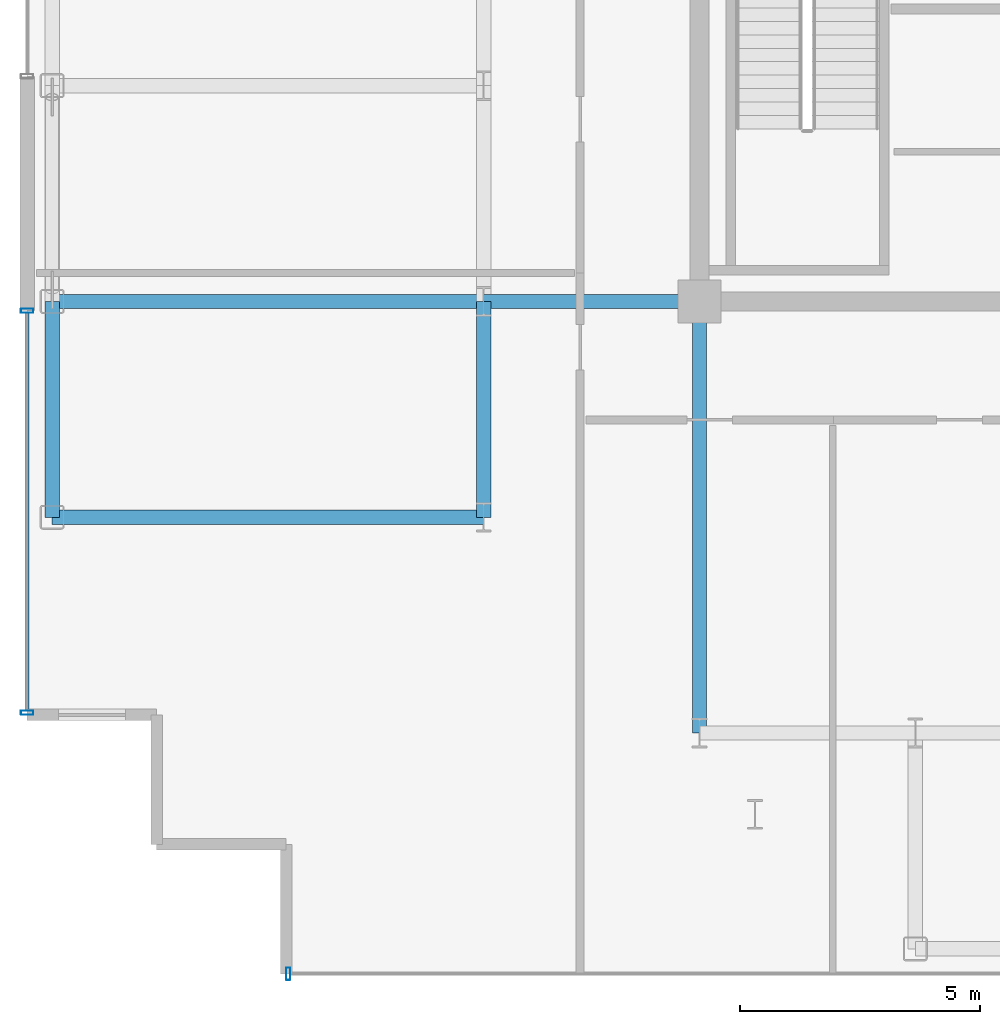
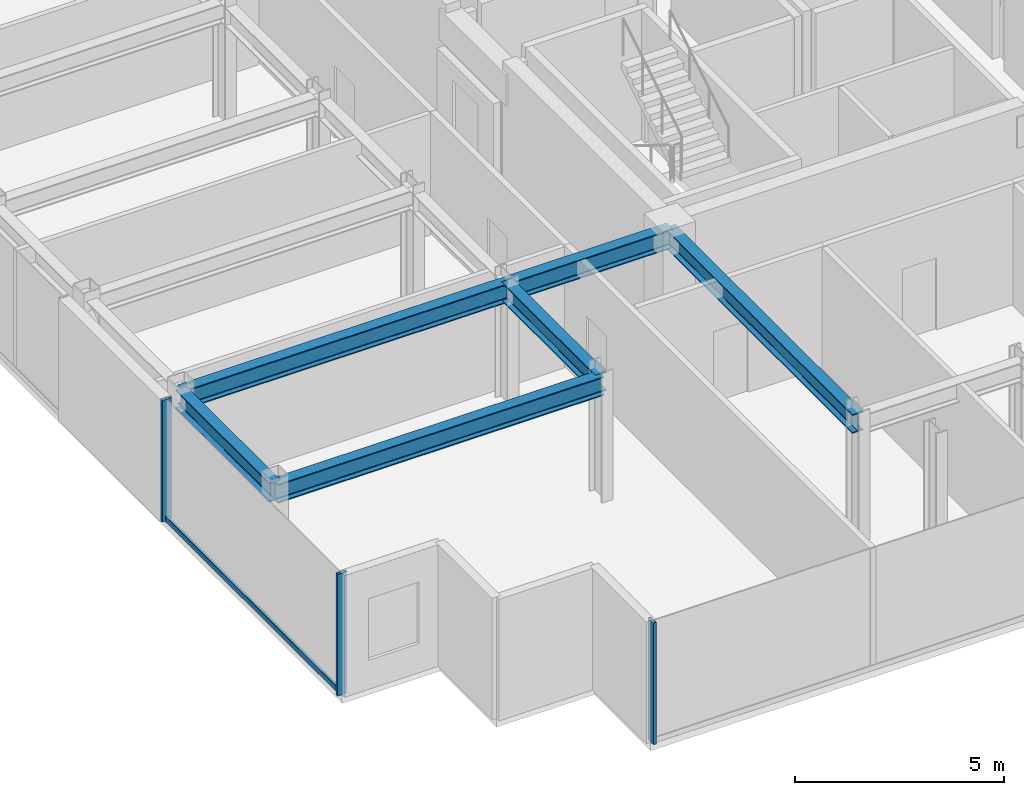
# One storey, part 2 of 16: 6 beams, 4 members, 2 elements without a shape of their own.
"""IFC4 building model written with IfcOpenShell, lengths in metres."""

from ifc_helpers import new_model, si_unit, direction, frame, origin, origin_2d, place, context, subcontext, project, spatial, hollow_rectangle, i_section, extrude, source, transform, mapped, material, layer, layer_set, material_profile, profile_set, type_object, element, aggregate, save


model = new_model("IFC4")

# Units and contexts
model_context = context("Model", 3, precision=1e-05, world=origin(), true_north=direction((0.0, 1.0)))
body_context = subcontext(model_context, "Body", "Model", "MODEL_VIEW")
ifc_project = project(units=[si_unit("LENGTHUNIT", "METRE"), si_unit("AREAUNIT", "SQUARE_METRE"), si_unit("VOLUMEUNIT", "CUBIC_METRE"), si_unit("PLANEANGLEUNIT", "RADIAN"), si_unit("MASSUNIT", "GRAM", prefix="KILO")], contexts=[model_context])

# Site, building, storey
site_placement = place(None, origin())
site = spatial("IfcSite", under=ifc_project, at=site_placement, CompositionType="ELEMENT")
building_placement = place(site_placement, origin())
building = spatial("IfcBuilding", under=site, at=building_placement, Name="Nefas-Gora Pilgrimage Tower", CompositionType="ELEMENT")
storey_placement = place(building_placement, frame((0.0, 0.0, 322.39990234375)))
storey = spatial("IfcBuildingStorey", under=building, at=storey_placement, Name="L81", CompositionType="ELEMENT", Elevation=322.39990234375)

# Beams
ifc_material_1 = material(Name="Steel S355", Category="steel")
ifc_material_profile_1 = material_profile(ifc_material_1, i_section(OverallWidth=0.300048828125, OverallDepth=0.550048828125, WebThickness=0.014892578125, FlangeThickness=0.029052734375, FilletRadius=0.027099609375, at=origin_2d()), Name="HEB 550")
ifc_profile_set_1 = profile_set([ifc_material_profile_1], Name="Steel S355")
beam_type_1 = type_object("IfcBeamType", Name="BM-SPN-HEB400", PredefinedType="SPANDREL", material=ifc_profile_set_1)
shared_shape_1 = source(origin(), body_context, "Body", "SweptSolid", [
    extrude(i_section(OverallWidth=0.300048828125, OverallDepth=0.550048828125, WebThickness=0.014892578125, FlangeThickness=0.029052734375, FilletRadius=0.027099609375, at=origin_2d()), origin(), (0.0, 0.0, 1.0), 4.5),
])
beam_placement = place(storey_placement, frame((-24.75, -13.5, 3.275146484375), z_axis=(0.0, 1.0, 0.0), x_axis=(-1.0, 0.0, 0.0)))
element("IfcBeam", 1, at=beam_placement, inside=storey, type_object=beam_type_1, Name="L81 SP-04 beam", PredefinedType="SPANDREL", context=body_context, shape_type="MappedRepresentation", body=[
    mapped(shared_shape_1, transform((0.0, 0.0, 0.0), x_axis=(1.0, 0.0, 0.0), y_axis=(0.0, 1.0, 0.0), z_axis=(0.0, 0.0, 1.0), scale=1.0)),
])
ifc_material_profile_2 = material_profile(ifc_material_1, i_section(OverallWidth=0.300048828125, OverallDepth=0.550048828125, WebThickness=0.014892578125, FlangeThickness=0.029052734375, FilletRadius=0.027099609375, at=origin_2d()), Name="HEB 550")
ifc_profile_set_2 = profile_set([ifc_material_profile_2], Name="Steel S355")
beam_type_2 = type_object("IfcBeamType", Name="BM-GIR-HEB550", PredefinedType="BEAM", material=ifc_profile_set_2)
shared_shape_2 = source(origin(), body_context, "Body", "SweptSolid", [
    extrude(i_section(OverallWidth=0.300048828125, OverallDepth=0.550048828125, WebThickness=0.014892578125, FlangeThickness=0.029052734375, FilletRadius=0.027099609375, at=origin_2d()), origin(), (0.0, 0.0, 1.0), 9.0),
])
for number, where, z_axis, x_axis, name in (
    (2, (-24.75, -13.5, 3.275146484375), (1.0, 0.0, 0.0), (0.0, 1.0, 0.0), "L81 G-05 beam"),
    (3, (-24.75, -9.0, 3.275146484375), (1.0, 0.0, 0.0), (0.0, 1.0, 0.0), "L81 G-05 beam"),
    (4, (-11.25, -18.0, 3.275146484375), (0.0, 1.0, 0.0), (-1.0, 0.0, 0.0), "L81 G-05 beam"),
):
    element("IfcBeam", number, at=place(storey_placement, frame(where, z_axis=z_axis, x_axis=x_axis)), inside=storey, type_object=beam_type_2, Name=name, PredefinedType="BEAM", context=body_context, shape_type="MappedRepresentation", body=[
        mapped(shared_shape_2, transform((0.0, 0.0, 0.0), x_axis=(1.0, 0.0, 0.0), y_axis=(0.0, 1.0, 0.0), z_axis=(0.0, 0.0, 1.0), scale=1.0)),
    ])
shared_shape_3 = source(origin(), body_context, "Body", "SweptSolid", [
    extrude(i_section(OverallWidth=0.300048828125, OverallDepth=0.550048828125, WebThickness=0.014892578125, FlangeThickness=0.029052734375, FilletRadius=0.027099609375, at=origin_2d()), origin(), (0.0, 0.0, 1.0), 4.5),
])
for number, where, z_axis, x_axis, name in (
    (5, (-15.75, -13.5, 3.275146484375), (0.0, 1.0, 0.0), (-1.0, 0.0, 0.0), "L81 G-05 beam"),
    (6, (-15.75, -9.0, 3.275146484375), (1.0, 0.0, 0.0), (0.0, 1.0, 0.0), "L81 G-05 beam"),
):
    element("IfcBeam", number, at=place(storey_placement, frame(where, z_axis=z_axis, x_axis=x_axis)), inside=storey, type_object=beam_type_2, Name=name, PredefinedType="BEAM", context=body_context, shape_type="MappedRepresentation", body=[
        mapped(shared_shape_3, transform((0.0, 0.0, 0.0), x_axis=(1.0, 0.0, 0.0), y_axis=(0.0, 1.0, 0.0), z_axis=(0.0, 0.0, 1.0), scale=1.0)),
    ])

# Curtain wall, members
ifc_material_2 = material(Name="Dark ceramic-fritted solar-control aluminium-glass curtain wall", Category="aluminium")
ifc_layer = layer(ifc_material_2, 0.219970703125)
ifc_layer_set = layer_set([ifc_layer], Name="Dark ceramic-fritted solar-control aluminium-glass curtain wall")
curtain_wall_type = type_object("IfcCurtainWallType", Name="CW-SYS-4", PredefinedType="NOTDEFINED", material=ifc_layer_set)
curtain_wall_1_placement = place(storey_placement, origin())
curtain_wall_1 = element("IfcCurtainWall", 7, at=curtain_wall_1_placement, inside=storey, type_object=curtain_wall_type, Name="L81 Unitised Curtain Wall CW4", PredefinedType="NOTDEFINED")
ifc_material_3 = material(Name="Anodised architectural aluminium", Category="aluminium")
ifc_material_profile_3 = material_profile(ifc_material_3, hollow_rectangle(XDim=0.080078125, YDim=0.159912109375, WallThickness=0.00439453125, InnerFilletRadius=0.00439453125, OuterFilletRadius=0.009033203125, at=origin_2d()), Name="ALU TRANSOM 80x160")
ifc_profile_set_3 = profile_set([ifc_material_profile_3], Name="Anodised architectural aluminium")
member_type_1 = type_object("IfcMemberType", Name="CWM-TRN-4", PredefinedType="USERDEFINED", material=ifc_profile_set_3)
shared_shape_4 = source(origin(), body_context, "Body", "SweptSolid", [
    extrude(hollow_rectangle(XDim=0.080078125, YDim=0.159912109375, WallThickness=0.00439453125, InnerFilletRadius=0.00439453125, OuterFilletRadius=0.009033203125, at=origin_2d()), origin(), (0.0, 0.0, 1.0), 8.2900390625),
])
member_1_placement = place(storey_placement, frame((-25.27001953125, -9.239990234375, 0.050048828125), z_axis=(0.0, -1.0, 0.0), x_axis=(1.0, 0.0, 0.0)))
member_1 = element("IfcMember", 8, at=member_1_placement, type_object=member_type_1, Name="CW4 Spandrel Transom", ObjectType="TRANSOM", PredefinedType="USERDEFINED", context=body_context, shape_type="MappedRepresentation", body=[
    mapped(shared_shape_4, transform((0.0, 0.0, 0.0), x_axis=(1.0, 0.0, 0.0), y_axis=(0.0, 1.0, 0.0), z_axis=(0.0, 0.0, 1.0), scale=1.0)),
])
ifc_material_profile_4 = material_profile(ifc_material_3, hollow_rectangle(XDim=0.090087890625, YDim=0.260009765625, WallThickness=0.006103515625, InnerFilletRadius=0.006103515625, OuterFilletRadius=0.011962890625, at=origin_2d()), Name="ALU MULLION 90x260")
ifc_profile_set_4 = profile_set([ifc_material_profile_4], Name="Anodised architectural aluminium")
member_type_2 = type_object("IfcMemberType", Name="CWM-MUL-4", PredefinedType="MULLION", material=ifc_profile_set_4)
shared_shape_5 = source(origin(), body_context, "Body", "SweptSolid", [
    extrude(hollow_rectangle(XDim=0.090087890625, YDim=0.260009765625, WallThickness=0.006103515625, InnerFilletRadius=0.006103515625, OuterFilletRadius=0.011962890625, at=origin_2d()), origin(), (0.0, 0.0, 1.0), 3.550048828125),
])
member_2_placement = place(storey_placement, frame((-25.27001953125, -9.195068359375, 0.0), z_axis=(0.0, 0.0, 1.0), x_axis=(0.0, -1.0, 0.0)))
member_2 = element("IfcMember", 9, at=member_2_placement, type_object=member_type_2, Name="CW4 Mullion 1", PredefinedType="MULLION", context=body_context, shape_type="MappedRepresentation", body=[
    mapped(shared_shape_5, transform((0.0, 0.0, 0.0), x_axis=(1.0, 0.0, 0.0), y_axis=(0.0, 1.0, 0.0), z_axis=(0.0, 0.0, 1.0), scale=1.0)),
])
member_3_placement = place(storey_placement, frame((-25.27001953125, -17.574951171875, 0.0), z_axis=(0.0, 0.0, 1.0), x_axis=(0.0, -1.0, 0.0)))
member_3 = element("IfcMember", 10, at=member_3_placement, type_object=member_type_2, Name="CW4 Mullion 2", PredefinedType="MULLION", context=body_context, shape_type="MappedRepresentation", body=[
    mapped(shared_shape_5, transform((0.0, 0.0, 0.0), x_axis=(1.0, 0.0, 0.0), y_axis=(0.0, 1.0, 0.0), z_axis=(0.0, 0.0, 1.0), scale=1.0)),
])
aggregate(curtain_wall_1, [member_2, member_3, member_1])

# Curtain wall, member
curtain_wall_2_placement = place(storey_placement, origin())
curtain_wall_2 = element("IfcCurtainWall", 11, at=curtain_wall_2_placement, inside=storey, type_object=curtain_wall_type, Name="L81 Unitised Curtain Wall CW4", PredefinedType="NOTDEFINED")
member_4_placement = place(storey_placement, frame((-19.824951171875, -23.02001953125, 0.0), z_axis=(0.0, 0.0, 1.0), x_axis=(1.0, 0.0, 0.0)))
member_4 = element("IfcMember", 12, at=member_4_placement, type_object=member_type_2, Name="CW4 Mullion 1", PredefinedType="MULLION", context=body_context, shape_type="MappedRepresentation", body=[
    mapped(shared_shape_5, transform((0.0, 0.0, 0.0), x_axis=(1.0, 0.0, 0.0), y_axis=(0.0, 1.0, 0.0), z_axis=(0.0, 0.0, 1.0), scale=1.0)),
])
aggregate(curtain_wall_2, [member_4])

save(model, "model.ifc")
